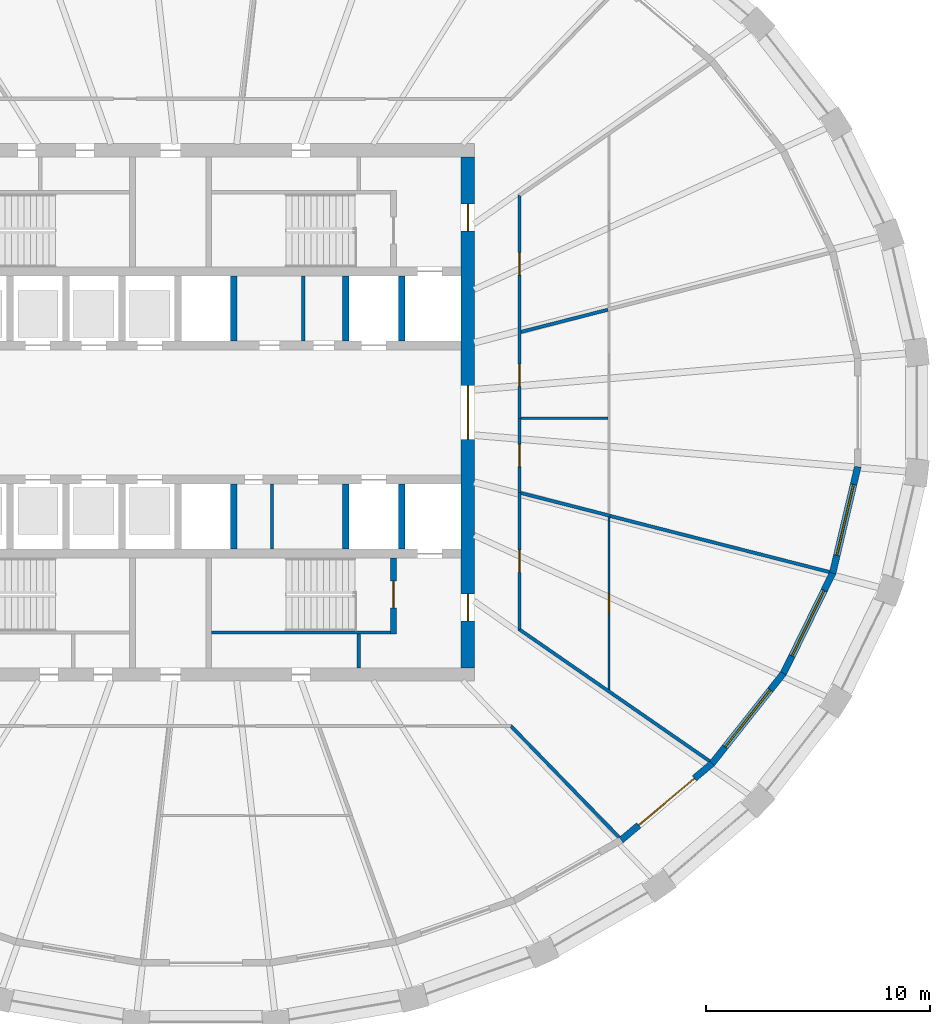
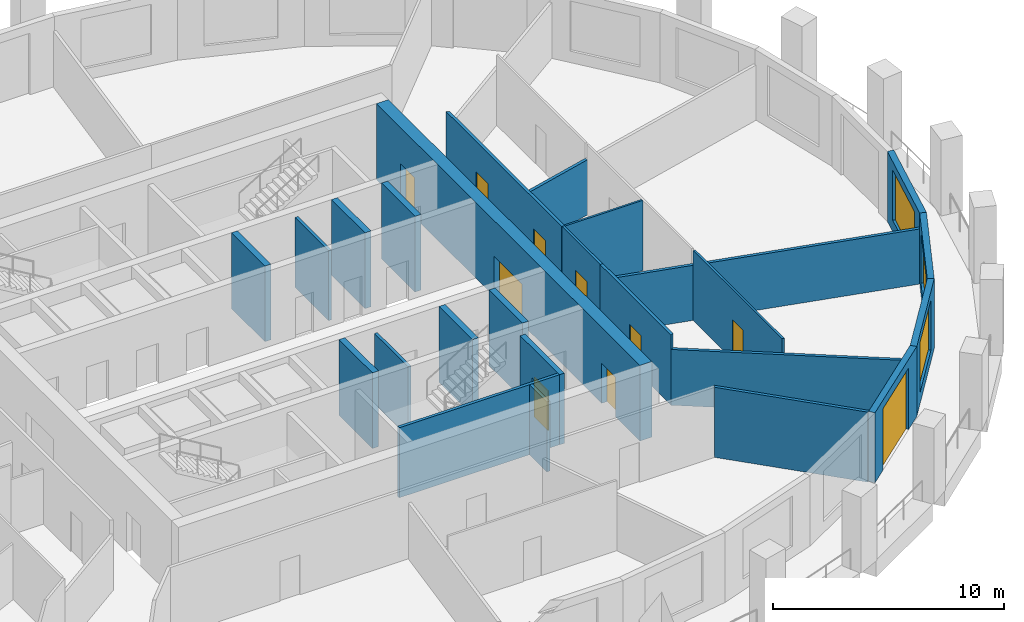
# One storey, part 5 of 11: 26 walls, 10 doors, 3 windows, 13 openings.
"""IFC4 building model written with IfcOpenShell, lengths in metres."""

from ifc_helpers import new_model, si_unit, direction, frame, frame_2d, origin, place, context, subcontext, project, spatial, polyline, rectangle, outline, extrude, material, layer, layer_set, type_object, element, fill, save


model = new_model("IFC4")

# Units and contexts
model_context = context("Model", 3, precision=1e-05, world=origin(), true_north=direction((0.0, 1.0)))
body_context = subcontext(model_context, "Body", "Model", "MODEL_VIEW")
ifc_project = project(units=[si_unit("LENGTHUNIT", "METRE"), si_unit("AREAUNIT", "SQUARE_METRE"), si_unit("VOLUMEUNIT", "CUBIC_METRE"), si_unit("PLANEANGLEUNIT", "RADIAN"), si_unit("MASSUNIT", "GRAM", prefix="KILO")], contexts=[model_context])

# Site, building, storey
site_placement = place(None, origin())
site = spatial("IfcSite", under=ifc_project, at=site_placement, CompositionType="ELEMENT")
building_placement = place(site_placement, origin())
building = spatial("IfcBuilding", under=site, at=building_placement, Name="Halqa Exchange Tower", CompositionType="ELEMENT")
storey_placement = place(building_placement, frame((0.0, 0.0, 214.89990234375)))
storey = spatial("IfcBuildingStorey", under=building, at=storey_placement, Name="L49", CompositionType="ELEMENT", Elevation=214.89990234375)

# Wall
ifc_material_1 = material(Name="Fire-rated gypsum board")
ifc_layer_1 = layer(ifc_material_1, 0.14990234375)
ifc_layer_set_1 = layer_set([ifc_layer_1], Name="Fire-rated gypsum board")
wall_type_1 = type_object("IfcWallType", Name="Fire partition EI 60 150", PredefinedType="PARTITIONING", material=ifc_layer_set_1)
wall_1_placement = place(storey_placement, frame((13.9677734375, -9.66748046875, 0.0), z_axis=(0.0, 0.0, 1.0), x_axis=(0.822219313141, -0.56917080134, 0.0)))
element("IfcWall", 1, at=wall_1_placement, inside=storey, type_object=wall_type_1, Name="L49-PWL-026", PredefinedType="PARTITIONING", context=body_context, shape_type="SweptSolid", body=[
    extrude(outline(polyline([(0.000244140625, -0.074951171875), (1.724365234375, -0.074951171875), (3.448486328125, -0.074951171875), (5.172607421875, -0.074951171875), (6.896728515625, -0.074951171875), (8.620849609375, -0.074951171875), (10.344970703125, -0.074951171875), (10.365234375, 0.000244140625), (10.36962890625, 0.066162109375), (10.36962890625, 0.074951171875), (8.511474609375, 0.074951171875), (6.653076171875, 0.074951171875), (4.794921875, 0.074951171875), (4.79248046875, 0.0732421875), (4.791259765625, 0.074951171875), (3.220458984375, 0.074951171875), (1.649658203125, 0.074951171875), (0.07861328125, 0.074951171875), (0.039306640625, -0.000244140625), (0.000244140625, -0.074951171875)])), origin(), (0.0, 0.0, 1.0), 2.947021484375),
])

# Wall, opening, door
wall_2_placement = place(storey_placement, frame((14.0, -3.580078125, 0.0), z_axis=(0.0, 0.0, 1.0), x_axis=(0.0, -1.0, 0.0)))
wall_2 = element("IfcWall", 2, at=wall_2_placement, inside=storey, type_object=wall_type_1, Name="L49-PWL-027", PredefinedType="PARTITIONING", context=body_context, shape_type="SweptSolid", body=[
    extrude(outline(polyline([(6.149169921875, -0.074951171875), (6.149169921875, -0.074951171875), (6.070556640625, 0.074951171875), (4.552978515625, 0.074951171875), (3.035400390625, 0.074951171875), (1.517578125, 0.074951171875), (0.0, 0.074951171875), (0.0, -0.074951171875), (1.537353515625, -0.074951171875), (3.07470703125, -0.074951171875), (4.61181640625, -0.074951171875), (6.149169921875, -0.074951171875)])), origin(), (0.0, 0.0, 1.0), 3.7001953125),
])
opening_1_placement = place(wall_2_placement, frame((2.554931640625, 0.0, 0.0)))
opening_1 = element("IfcOpeningElement", 3, at=opening_1_placement, cuts=wall_2, Name="Opening 15-11", PredefinedType="OPENING", context=body_context, shape_type="SweptSolid", body=[
    extrude(rectangle(XDim=1.0, YDim=2.10009765625, at=frame_2d((0.5, 1.050048828125))), frame((0.0, 0.0869140625, 0.0), z_axis=(0.0, -1.0, 0.0), x_axis=(1.0, 0.0, 0.0)), (0.0, 0.0, 1.0), 0.173828125),
])
ifc_material_2 = material(Name="Steel fire door leaf", Category="steel")
door_type_1 = type_object("IfcDoorType", Name="Fire door FD30S 1000 x 2100", OperationType="SINGLE_SWING_LEFT", PredefinedType="DOOR", material=ifc_material_2)
door_1_placement = place(opening_1_placement, origin())
door_1 = element("IfcDoor", 4, at=door_1_placement, inside=storey, type_object=door_type_1, Name="L49-IDR-011", OperationType="SINGLE_SWING_LEFT", OverallHeight=2.10009765625, OverallWidth=1.0, PredefinedType="DOOR", context=body_context, shape_type="SweptSolid", body=[
    extrude(rectangle(XDim=1.0, YDim=2.10009765625, at=frame_2d((0.5, 1.050048828125))), frame((0.0, 0.02490234375, 0.0), z_axis=(0.0, -1.0, 0.0), x_axis=(1.0, 0.0, 0.0)), (0.0, 0.0, 1.0), 0.050048828125),
])
fill(opening_1, door_1)

# Wall
wall_3_placement = place(storey_placement, frame((14.041748046875, -3.590576171875, 0.0), z_axis=(0.0, 0.0, 1.0), x_axis=(0.968991510142, -0.247094017071, 0.0)))
element("IfcWall", 5, at=wall_3_placement, inside=storey, type_object=wall_type_1, Name="L49-PWL-028", PredefinedType="PARTITIONING", context=body_context, shape_type="SweptSolid", body=[
    extrude(outline(polyline([(4.131103515625, 0.074951171875), (4.014892578125, 0.074951171875), (4.01416015625, 0.07470703125), (4.01416015625, 0.074951171875), (2.676025390625, 0.074951171875), (1.338134765625, 0.074951171875), (0.0, 0.074951171875), (0.0, 0.073974609375), (0.01513671875, 0.0146484375), (0.029541015625, 0.0185546875), (0.053466796875, -0.074951171875), (1.41259765625, -0.074951171875), (2.77197265625, -0.074951171875), (4.131103515625, -0.074951171875), (4.131103515625, 0.074951171875)])), origin(), (0.0, 0.0, 1.0), 2.91015625),
])

# Wall, openings, doors
wall_4_placement = place(storey_placement, frame((14.0, -0.260009765625, 0.0), z_axis=(0.0, 0.0, 1.0), x_axis=(0.0, 1.0, 0.0)))
wall_4 = element("IfcWall", 6, at=wall_4_placement, inside=storey, type_object=wall_type_1, Name="L49-PWL-030", PredefinedType="PARTITIONING", context=body_context, shape_type="SweptSolid", body=[
    extrude(outline(polyline([(0.0, -0.074951171875), (1.982177734375, -0.074951171875), (3.96435546875, -0.074951171875), (5.946533203125, -0.074951171875), (7.9287109375, -0.074951171875), (9.91064453125, -0.074951171875), (9.9892578125, 0.074951171875), (9.9892578125, 0.074951171875), (7.991455078125, 0.074951171875), (5.99365234375, 0.074951171875), (3.99560546875, 0.074951171875), (1.997802734375, 0.074951171875), (0.0, 0.074951171875), (0.0, -0.074951171875)])), origin(), (0.0, 0.0, 1.0), 3.7001953125),
])
opening_2_placement = place(wall_4_placement, frame((1.419921875, 0.0, 0.0)))
opening_2 = element("IfcOpeningElement", 7, at=opening_2_placement, cuts=wall_4, Name="Opening 15-13", PredefinedType="OPENING", context=body_context, shape_type="SweptSolid", body=[
    extrude(rectangle(XDim=1.0, YDim=2.10009765625, at=frame_2d((0.5, 1.050048828125))), frame((0.0, 0.0869140625, 0.0), z_axis=(0.0, -1.0, 0.0), x_axis=(1.0, 0.0, 0.0)), (0.0, 0.0, 1.0), 0.173828125),
])
opening_3_placement = place(wall_4_placement, frame((6.39501953125, 0.0, 0.0)))
opening_3 = element("IfcOpeningElement", 8, at=opening_3_placement, cuts=wall_4, Name="Opening 15-14", PredefinedType="OPENING", context=body_context, shape_type="SweptSolid", body=[
    extrude(rectangle(XDim=1.0, YDim=2.10009765625, at=frame_2d((0.5, 1.050048828125))), frame((0.0, 0.0869140625, 0.0), z_axis=(0.0, -1.0, 0.0), x_axis=(1.0, 0.0, 0.0)), (0.0, 0.0, 1.0), 0.173828125),
])
door_2_placement = place(opening_2_placement, frame((1.0, 0.0, 0.0), z_axis=(0.0, 0.0, 1.0), x_axis=(-1.0, 0.0, 0.0)))
door_2 = element("IfcDoor", 9, at=door_2_placement, inside=storey, type_object=door_type_1, Name="L49-IDR-013", OperationType="SINGLE_SWING_RIGHT", OverallHeight=2.10009765625, OverallWidth=1.0, PredefinedType="DOOR", context=body_context, shape_type="SweptSolid", body=[
    extrude(rectangle(XDim=1.0, YDim=2.10009765625, at=frame_2d((0.5, 1.050048828125))), frame((0.0, 0.02490234375, 0.0), z_axis=(0.0, -1.0, 0.0), x_axis=(1.0, 0.0, 0.0)), (0.0, 0.0, 1.0), 0.050048828125),
])
fill(opening_2, door_2)
door_3_placement = place(opening_3_placement, frame((1.0, 0.0, 0.0), z_axis=(0.0, 0.0, 1.0), x_axis=(-1.0, 0.0, 0.0)))
door_3 = element("IfcDoor", 10, at=door_3_placement, inside=storey, type_object=door_type_1, Name="L49-IDR-014", OperationType="SINGLE_SWING_LEFT", OverallHeight=2.10009765625, OverallWidth=1.0, PredefinedType="DOOR", context=body_context, shape_type="SweptSolid", body=[
    extrude(rectangle(XDim=1.0, YDim=2.10009765625, at=frame_2d((0.5, 1.050048828125))), frame((0.0, 0.02490234375, 0.0), z_axis=(0.0, -1.0, 0.0), x_axis=(1.0, 0.0, 0.0)), (0.0, 0.0, 1.0), 0.050048828125),
])
fill(opening_3, door_3)

# Walls
wall_5_placement = place(storey_placement, frame((14.056640625, 3.594482421875, 0.0), z_axis=(0.0, 0.0, 1.0), x_axis=(0.968992302027, 0.247090911634, 0.0)))
element("IfcWall", 11, at=wall_5_placement, inside=storey, type_object=wall_type_1, Name="L49-PWL-032", PredefinedType="PARTITIONING", context=body_context, shape_type="SweptSolid", body=[
    extrude(outline(polyline([(0.0, -0.074951171875), (1.99951171875, -0.074951171875), (3.998779296875, -0.074951171875), (3.999267578125, -0.073486328125), (4.005126953125, -0.074951171875), (4.0205078125, -0.074951171875), (4.0205078125, 0.074951171875), (2.029296875, 0.074951171875), (0.0380859375, 0.074951171875), (0.0, -0.07421875), (0.0, -0.074951171875)])), origin(), (0.0, 0.0, 1.0), 2.91015625),
])
wall_6_placement = place(storey_placement, frame((18.0419921875, -4.620849609375, 0.0), z_axis=(0.0, 0.0, 1.0), x_axis=(0.968898746972, -0.247457507698, 0.0)))
element("IfcWall", 12, at=wall_6_placement, inside=storey, type_object=wall_type_1, Name="L49-PWL-035", PredefinedType="PARTITIONING", context=body_context, shape_type="SweptSolid", body=[
    extrude(outline(polyline([(0.02734375, -0.074951171875), (1.705810546875, -0.074951171875), (3.384521484375, -0.074951171875), (5.06298828125, -0.074951171875), (6.741455078125, -0.074951171875), (8.419921875, -0.074951171875), (10.098388671875, -0.074951171875), (10.112548828125, -0.0078125), (10.112548828125, 0.074951171875), (8.42724609375, 0.074951171875), (6.74169921875, 0.074951171875), (5.056396484375, 0.074951171875), (3.370849609375, 0.074951171875), (1.685546875, 0.074951171875), (0.000244140625, 0.074951171875), (0.000244140625, -0.04541015625), (0.018798828125, -0.040771484375), (0.02734375, -0.074951171875)])), origin(), (0.0, 0.0, 1.0), 2.91015625),
])
wall_7_placement = place(storey_placement, frame((18.459228515625, -18.973388671875, 0.0), z_axis=(0.0, 0.0, 1.0), x_axis=(-0.697374409368, 0.716707006494, 0.0)))
element("IfcWall", 13, at=wall_7_placement, inside=storey, type_object=wall_type_1, Name="L49-PWL-039", PredefinedType="PARTITIONING", context=body_context, shape_type="SweptSolid", body=[
    extrude(outline(polyline([(0.0, -0.074951171875), (1.74267578125, -0.074951171875), (3.4853515625, -0.074951171875), (5.22802734375, -0.074951171875), (6.970947265625, -0.074951171875), (6.939208984375, 0.0), (6.907470703125, 0.074951171875), (5.18701171875, 0.074951171875), (3.46630859375, 0.074951171875), (1.745849609375, 0.074951171875), (0.025146484375, 0.074951171875), (0.0048828125, -0.002197265625), (0.0, -0.0693359375), (0.0, -0.074951171875)])), origin(), (0.0, 0.0, 1.0), 3.7001953125),
])

# Wall, opening, door
ifc_material_3 = material(Name="Fire-rated glazing", Category="glass")
ifc_layer_2 = layer(ifc_material_3, 0.1201171875)
ifc_layer_set_2 = layer_set([ifc_layer_2], Name="Fire-rated glazing")
wall_type_2 = type_object("IfcWallType", Name="Glazed fire partition EI 60 120", PredefinedType="PARTITIONING", material=ifc_layer_set_2)
wall_8_placement = place(storey_placement, frame((14.0, -0.260009765625, 0.0), z_axis=(0.0, 0.0, 1.0), x_axis=(0.0, -1.0, 0.0)))
wall_8 = element("IfcWall", 14, at=wall_8_placement, inside=storey, type_object=wall_type_2, Name="L49-PWL-029", PredefinedType="PARTITIONING", context=body_context, shape_type="SweptSolid", body=[
    extrude(rectangle(XDim=3.320068359375, YDim=0.1201171875, at=frame_2d((1.66015625, 0.0))), origin(), (0.0, 0.0, 1.0), 3.7001953125),
])
opening_4_placement = place(wall_8_placement, frame((1.159912109375, 0.0, 0.0)))
opening_4 = element("IfcOpeningElement", 15, at=opening_4_placement, cuts=wall_8, Name="Opening 15-12", PredefinedType="OPENING", context=body_context, shape_type="SweptSolid", body=[
    extrude(rectangle(XDim=1.0, YDim=2.10009765625, at=frame_2d((0.5, 1.050048828125))), frame((0.0, 0.072021484375, 0.0), z_axis=(0.0, -1.0, 0.0), x_axis=(1.0, 0.0, 0.0)), (0.0, 0.0, 1.0), 0.14404296875),
])
door_4_placement = place(opening_4_placement, origin())
door_4 = element("IfcDoor", 16, at=door_4_placement, inside=storey, type_object=door_type_1, Name="L49-IDR-012", OperationType="SINGLE_SWING_LEFT", OverallHeight=2.10009765625, OverallWidth=1.0, PredefinedType="DOOR", context=body_context, shape_type="SweptSolid", body=[
    extrude(rectangle(XDim=1.0, YDim=2.10009765625, at=frame_2d((0.5, 1.050048828125))), frame((0.0, 0.02490234375, 0.0), z_axis=(0.0, -1.0, 0.0), x_axis=(1.0, 0.0, 0.0)), (0.0, 0.0, 1.0), 0.050048828125),
])
fill(opening_4, door_4)

# Wall
ifc_material_4 = material(Name="Gypsum board")
ifc_layer_3 = layer(ifc_material_4, 0.10009765625)
ifc_layer_set_3 = layer_set([ifc_layer_3], Name="Gypsum board")
wall_type_3 = type_object("IfcWallType", Name="Partition 100 gypsum", PredefinedType="PARTITIONING", material=ifc_layer_set_3)
wall_9_placement = place(storey_placement, frame((14.060546875, -0.260009765625, 0.0), z_axis=(0.0, 0.0, 1.0), x_axis=(1.0, 0.0, 0.0)))
element("IfcWall", 17, at=wall_9_placement, inside=storey, type_object=wall_type_3, Name="L49-PWL-031", PredefinedType="PARTITIONING", context=body_context, shape_type="SweptSolid", body=[
    extrude(outline(polyline([(3.889404296875, 0.050048828125), (1.951904296875, 0.050048828125), (0.014404296875, 0.050048828125), (0.014404296875, 0.0), (0.0, 0.0), (0.0, -0.050048828125), (1.94482421875, -0.050048828125), (3.889404296875, -0.050048828125), (3.889404296875, 0.050048828125)])), origin(), (0.0, 0.0, 1.0), 3.7001953125),
])

# Wall, opening, door
wall_10_placement = place(storey_placement, frame((18.0, -4.6650390625, 0.0), z_axis=(0.0, 0.0, 1.0), x_axis=(0.0, -1.0, 0.0)))
wall_10 = element("IfcWall", 18, at=wall_10_placement, inside=storey, type_object=wall_type_3, Name="L49-PWL-034", PredefinedType="PARTITIONING", context=body_context, shape_type="SweptSolid", body=[
    extrude(outline(polyline([(0.0, -0.050048828125), (1.9169921875, -0.050048828125), (3.833984375, -0.050048828125), (5.7509765625, -0.050048828125), (7.66796875, -0.050048828125), (7.737060546875, 0.0498046875), (7.737060546875, 0.050048828125), (5.8115234375, 0.050048828125), (3.88623046875, 0.050048828125), (1.960693359375, 0.050048828125), (0.03515625, 0.050048828125), (0.02880859375, 0.02490234375), (0.0, 0.032470703125), (0.0, 0.03076171875), (0.01904296875, 0.02587890625), (0.0, -0.04833984375), (0.0, -0.050048828125)])), origin(), (0.0, 0.0, 1.0), 3.7001953125),
])
opening_5_placement = place(wall_10_placement, frame((3.419921875, 0.0, 0.0)))
opening_5 = element("IfcOpeningElement", 19, at=opening_5_placement, cuts=wall_10, Name="Opening 15-20", PredefinedType="OPENING", context=body_context, shape_type="SweptSolid", body=[
    extrude(rectangle(XDim=0.89990234375, YDim=2.10009765625, at=frame_2d((0.449951171875, 1.050048828125))), frame((0.0, 0.06201171875, 0.0), z_axis=(0.0, -1.0, 0.0), x_axis=(1.0, 0.0, 0.0)), (0.0, 0.0, 1.0), 0.1240234375),
])
ifc_material_5 = material(Name="Timber door leaf", Category="wood")
door_type_2 = type_object("IfcDoorType", Name="Door 900 x 2100", OperationType="SINGLE_SWING_LEFT", PredefinedType="DOOR", material=ifc_material_5)
door_5_placement = place(opening_5_placement, frame((0.89990234375, 0.0, 0.0), z_axis=(0.0, 0.0, 1.0), x_axis=(-1.0, 0.0, 0.0)))
door_5 = element("IfcDoor", 20, at=door_5_placement, inside=storey, type_object=door_type_2, Name="L49-IDR-020", OperationType="SINGLE_SWING_LEFT", OverallHeight=2.10009765625, OverallWidth=0.89990234375, PredefinedType="DOOR", context=body_context, shape_type="SweptSolid", body=[
    extrude(rectangle(XDim=0.89990234375, YDim=2.10009765625, at=frame_2d((0.449951171875, 1.050048828125))), frame((0.0, 0.02490234375, 0.0), z_axis=(0.0, -1.0, 0.0), x_axis=(1.0, 0.0, 0.0)), (0.0, 0.0, 1.0), 0.050048828125),
])
fill(opening_5, door_5)

# Walls
ifc_layer_4 = layer(ifc_material_4, 0.14990234375)
ifc_layer_set_4 = layer_set([ifc_layer_4], Name="Gypsum board")
wall_type_4 = type_object("IfcWallType", Name="Penthouse riser wall 150 gypsum", PredefinedType="PARTITIONING", material=ifc_layer_set_4)
wall_11_placement = place(storey_placement, frame((6.824951171875, -11.39990234375, 0.0), z_axis=(0.0, 0.0, 1.0), x_axis=(0.0, 1.0, 0.0)))
element("IfcWall", 21, at=wall_11_placement, inside=storey, type_object=wall_type_4, Name="Firefighting lobby west wall S", PredefinedType="PARTITIONING", context=body_context, shape_type="SweptSolid", body=[
    extrude(rectangle(XDim=1.5, YDim=0.14990234375, at=frame_2d((0.75, 0.0))), origin(), (0.0, 0.0, 1.0), 3.7001953125),
])
for number, where, z_axis, x_axis, name in (
    (22, (4.35009765625, 3.199951171875, 0.0), (0.0, 0.0, 1.0), (0.0, 1.0, 0.0), "Freed bay partition NE4.350"),
    (23, (2.949951171875, -6.10009765625, 0.0), (0.0, 0.0, 1.0), (0.0, 1.0, 0.0), "Freed bay partition SE2.950"),
):
    element("IfcWall", number, at=place(storey_placement, frame(where, z_axis=z_axis, x_axis=x_axis)), inside=storey, type_object=wall_type_4, Name=name, PredefinedType="PARTITIONING", context=body_context, shape_type="SweptSolid", body=[
        extrude(rectangle(XDim=2.900146484375, YDim=0.14990234375, at=frame_2d((1.4501953125, 0.0))), origin(), (0.0, 0.0, 1.0), 3.7001953125),
    ])
ifc_material_6 = material(Name="Concrete C60/75", Category="concrete")
ifc_layer_5 = layer(ifc_material_6, 0.300048828125)
ifc_layer_set_5 = layer_set([ifc_layer_5], Name="Concrete C60/75")
wall_type_5 = type_object("IfcWallType", Name="RC core wall 300", PredefinedType="SHEAR", material=ifc_layer_set_5)
for number, where, z_axis, x_axis, name in (
    (24, (1.25, 3.199951171875, 0.0), (0.0, 0.0, 1.0), (0.0, 1.0, 0.0), "Shaft divider N5"),
    (25, (6.25, 3.199951171875, 0.0), (0.0, 0.0, 1.0), (0.0, 1.0, 0.0), "Shaft divider N7"),
    (26, (8.75, 3.199951171875, 0.0), (0.0, 0.0, 1.0), (0.0, 1.0, 0.0), "Shaft divider N8"),
    (27, (1.25, -6.10009765625, 0.0), (0.0, 0.0, 1.0), (0.0, 1.0, 0.0), "Shaft divider S5"),
    (28, (6.25, -6.10009765625, 0.0), (0.0, 0.0, 1.0), (0.0, 1.0, 0.0), "Shaft divider S7"),
    (29, (8.75, -6.10009765625, 0.0), (0.0, 0.0, 1.0), (0.0, 1.0, 0.0), "Shaft divider S8"),
):
    element("IfcWall", number, at=place(storey_placement, frame(where, z_axis=z_axis, x_axis=x_axis)), inside=storey, type_object=wall_type_5, Name=name, PredefinedType="SHEAR", context=body_context, shape_type="SweptSolid", body=[
        extrude(rectangle(XDim=2.900146484375, YDim=0.300048828125, at=frame_2d((1.4501953125, 0.0))), origin(), (0.0, 0.0, 1.0), 4.0),
    ])

# Wall, openings, doors
ifc_material_7 = material(Name="Concrete C70/85", Category="concrete")
ifc_layer_6 = layer(ifc_material_7, 0.60009765625)
ifc_layer_set_6 = layer_set([ifc_layer_6], Name="Concrete C70/85")
wall_type_6 = type_object("IfcWallType", Name="RC core wall 600 C70/85", PredefinedType="SHEAR", material=ifc_layer_set_6)
wall_12_placement = place(storey_placement, frame((11.699951171875, -11.39990234375, 0.0), z_axis=(0.0, 0.0, 1.0), x_axis=(0.0, 1.0, 0.0)))
wall_12 = element("IfcWall", 30, at=wall_12_placement, inside=storey, type_object=wall_type_6, Name="Core wall east", PredefinedType="SHEAR", context=body_context, shape_type="SweptSolid", body=[
    extrude(rectangle(XDim=22.7998046875, YDim=0.60009765625, at=frame_2d((11.39990234375, 0.0))), origin(), (0.0, 0.0, 1.0), 4.0),
])
opening_6_placement = place(wall_12_placement, frame((10.199951171875, 0.0, 0.0)))
opening_6 = element("IfcOpeningElement", 31, at=opening_6_placement, cuts=wall_12, Name="Opening T15-C14", PredefinedType="OPENING", context=body_context, shape_type="SweptSolid", body=[
    extrude(rectangle(XDim=2.39990234375, YDim=2.10009765625, at=frame_2d((1.199951171875, 1.050048828125))), frame((0.0, 0.31201171875, 0.0), z_axis=(0.0, -1.0, 0.0), x_axis=(1.0, 0.0, 0.0)), (0.0, 0.0, 1.0), 0.6240234375),
])
opening_7_placement = place(wall_12_placement, frame((19.5, 0.0, 0.0)))
opening_7 = element("IfcOpeningElement", 32, at=opening_7_placement, cuts=wall_12, Name="Opening T15-C19", PredefinedType="OPENING", context=body_context, shape_type="SweptSolid", body=[
    extrude(rectangle(XDim=1.199951171875, YDim=2.10009765625, at=frame_2d((0.60009765625, 1.050048828125))), frame((0.0, 0.31201171875, 0.0), z_axis=(0.0, -1.0, 0.0), x_axis=(1.0, 0.0, 0.0)), (0.0, 0.0, 1.0), 0.6240234375),
])
opening_8_placement = place(wall_12_placement, frame((2.10009765625, 0.0, 0.0)))
opening_8 = element("IfcOpeningElement", 33, at=opening_8_placement, cuts=wall_12, Name="Opening T15-C20", PredefinedType="OPENING", context=body_context, shape_type="SweptSolid", body=[
    extrude(rectangle(XDim=1.199951171875, YDim=2.10009765625, at=frame_2d((0.60009765625, 1.050048828125))), frame((0.0, 0.31201171875, 0.0), z_axis=(0.0, -1.0, 0.0), x_axis=(1.0, 0.0, 0.0)), (0.0, 0.0, 1.0), 0.6240234375),
])
door_type_3 = type_object("IfcDoorType", Name="Firefighting lobby door FD90 1200 x 2100", OperationType="SINGLE_SWING_RIGHT", PredefinedType="DOOR", material=ifc_material_2)
door_6_placement = place(opening_7_placement, origin())
door_6 = element("IfcDoor", 34, at=door_6_placement, inside=storey, type_object=door_type_3, Name="Firefighting lobby door", OperationType="SINGLE_SWING_RIGHT", OverallHeight=2.10009765625, OverallWidth=1.199951171875, PredefinedType="DOOR", context=body_context, shape_type="SweptSolid", body=[
    extrude(rectangle(XDim=1.199951171875, YDim=2.10009765625, at=frame_2d((0.60009765625, 1.050048828125))), frame((0.0, 0.02490234375, 0.0), z_axis=(0.0, -1.0, 0.0), x_axis=(1.0, 0.0, 0.0)), (0.0, 0.0, 1.0), 0.050048828125),
])
fill(opening_7, door_6)
door_7_placement = place(opening_8_placement, origin())
door_7 = element("IfcDoor", 35, at=door_7_placement, inside=storey, type_object=door_type_3, Name="Firefighting lobby door", OperationType="SINGLE_SWING_LEFT", OverallHeight=2.10009765625, OverallWidth=1.199951171875, PredefinedType="DOOR", context=body_context, shape_type="SweptSolid", body=[
    extrude(rectangle(XDim=1.199951171875, YDim=2.10009765625, at=frame_2d((0.60009765625, 1.050048828125))), frame((0.0, 0.02490234375, 0.0), z_axis=(0.0, -1.0, 0.0), x_axis=(1.0, 0.0, 0.0)), (0.0, 0.0, 1.0), 0.050048828125),
])
fill(opening_8, door_7)
door_type_4 = type_object("IfcDoorType", Name="Lobby double door FD60 2400 x 2100", OperationType="DOUBLE_DOOR_SINGLE_SWING", PredefinedType="DOOR", material=ifc_material_2)
door_8_placement = place(opening_6_placement, origin())
door_8 = element("IfcDoor", 36, at=door_8_placement, inside=storey, type_object=door_type_4, Name="Lift lobby double door", OperationType="DOUBLE_DOOR_SINGLE_SWING", OverallHeight=2.10009765625, OverallWidth=2.39990234375, PredefinedType="DOOR", context=body_context, shape_type="SweptSolid", body=[
    extrude(rectangle(XDim=2.39990234375, YDim=2.10009765625, at=frame_2d((1.199951171875, 1.050048828125))), frame((0.0, 0.02490234375, 0.0), z_axis=(0.0, -1.0, 0.0), x_axis=(1.0, 0.0, 0.0)), (0.0, 0.0, 1.0), 0.050048828125),
])
fill(opening_6, door_8)

# Wall
ifc_material_8 = material(Name="Concrete C30/37", Category="concrete")
ifc_layer_7 = layer(ifc_material_8, 0.14990234375)
ifc_layer_set_7 = layer_set([ifc_layer_7], Name="Concrete C30/37")
wall_type_7 = type_object("IfcWallType", Name="RC stair wall 150 C30/37", PredefinedType="SHEAR", material=ifc_layer_set_7)
wall_13_placement = place(storey_placement, frame((0.25, -9.824951171875, 0.0), z_axis=(0.0, 0.0, 1.0), x_axis=(1.0, 0.0, 0.0)))
element("IfcWall", 37, at=wall_13_placement, inside=storey, type_object=wall_type_7, Name="Stair ST2 north wall S", PredefinedType="SHEAR", context=body_context, shape_type="SweptSolid", body=[
    extrude(rectangle(XDim=8.0, YDim=0.14990234375, at=frame_2d((4.0, 0.0))), origin(), (0.0, 0.0, 1.0), 3.7001953125),
])

# Wall, opening, door
ifc_layer_8 = layer(ifc_material_8, 0.25)
ifc_layer_set_8 = layer_set([ifc_layer_8], Name="Concrete C30/37")
wall_type_8 = type_object("IfcWallType", Name="RC stair wall 250 C30/37", PredefinedType="SHEAR", material=ifc_layer_set_8)
wall_14_placement = place(storey_placement, frame((8.375, -9.89990234375, 0.0), z_axis=(0.0, 0.0, 1.0), x_axis=(0.0, 1.0, 0.0)))
wall_14 = element("IfcWall", 38, at=wall_14_placement, inside=storey, type_object=wall_type_8, Name="Stair ST2 east wall S", PredefinedType="SHEAR", context=body_context, shape_type="SweptSolid", body=[
    extrude(rectangle(XDim=3.39990234375, YDim=0.25, at=frame_2d((1.699951171875, 0.0))), origin(), (0.0, 0.0, 1.0), 3.7001953125),
])
opening_9_placement = place(wall_14_placement, frame((1.175048828125, 0.0, 0.0)))
opening_9 = element("IfcOpeningElement", 39, at=opening_9_placement, cuts=wall_14, Name="Opening T15-C18", PredefinedType="OPENING", context=body_context, shape_type="SweptSolid", body=[
    extrude(rectangle(XDim=1.199951171875, YDim=2.10009765625, at=frame_2d((0.60009765625, 1.050048828125))), frame((0.0, 0.136962890625, 0.0), z_axis=(0.0, -1.0, 0.0), x_axis=(1.0, 0.0, 0.0)), (0.0, 0.0, 1.0), 0.27392578125),
])
door_type_5 = type_object("IfcDoorType", Name="Stair door FD90 1200 x 2100", OperationType="SINGLE_SWING_LEFT", PredefinedType="DOOR", material=ifc_material_2)
door_9_placement = place(opening_9_placement, origin())
door_9 = element("IfcDoor", 40, at=door_9_placement, inside=storey, type_object=door_type_5, Name="Stair door ST4", OperationType="SINGLE_SWING_RIGHT", OverallHeight=2.10009765625, OverallWidth=1.199951171875, PredefinedType="DOOR", context=body_context, shape_type="SweptSolid", body=[
    extrude(rectangle(XDim=1.199951171875, YDim=2.10009765625, at=frame_2d((0.60009765625, 1.050048828125))), frame((0.0, 0.02490234375, 0.0), z_axis=(0.0, -1.0, 0.0), x_axis=(1.0, 0.0, 0.0)), (0.0, 0.0, 1.0), 0.050048828125),
])
fill(opening_9, door_9)

ifc_material_9 = material(Name="Limestone cladding", Category="masonry")
ifc_layer_9 = layer(ifc_material_9, 0.0400390625)
ifc_material_10 = material(Name="Ventilated cavity")
ifc_layer_10 = layer(ifc_material_10, 0.030029296875, ventilated=True)
ifc_material_11 = material(Name="Mineral wool insulation")
ifc_layer_11 = layer(ifc_material_11, 0.10009765625)
ifc_layer_12 = layer(ifc_material_8, 0.10009765625)
ifc_material_12 = material(Name="Internal plaster")
ifc_layer_13 = layer(ifc_material_12, 0.030029296875)
ifc_layer_set_9 = layer_set([ifc_layer_9, ifc_layer_10, ifc_layer_11, ifc_layer_12, ifc_layer_13], Name="Stone-faced insulated wall 300")
wall_type_9 = type_object("IfcWallType", Name="Stone-faced insulated wall 300", PredefinedType="STANDARD", material=ifc_layer_set_9)
wall_15_placement = place(storey_placement, frame((18.54345703125, -19.09228515625, 0.0), z_axis=(0.0, 0.0, 1.0), x_axis=(0.764397795062, 0.644744919255, 0.0)))
wall_15 = element("IfcWall", 41, at=wall_15_placement, inside=storey, type_object=wall_type_9, Name="Glass-line wall 28", PredefinedType="STANDARD", context=body_context, shape_type="SweptSolid", body=[
    extrude(outline(polyline([(-0.01416015625, -0.14990234375), (5.3203125, -0.14990234375), (5.2900390625, 0.14990234375), (0.01416015625, 0.14990234375), (-0.01416015625, -0.14990234375)])), origin(), (0.0, 0.0, 1.0), 3.7001953125),
])
opening_10_placement = place(wall_15_placement, frame((1.027587890625, 0.0, 0.0)))
opening_10 = element("IfcOpeningElement", 42, at=opening_10_placement, cuts=wall_15, Name="Opening LG-F3-07", PredefinedType="OPENING", context=body_context, shape_type="SweptSolid", body=[
    extrude(rectangle(XDim=3.25, YDim=3.25, at=frame_2d((1.625, 1.625))), frame((0.0, 0.162109375, 0.0), z_axis=(0.0, -1.0, 0.0), x_axis=(1.0, 0.0, 0.0)), (0.0, 0.0, 1.0), 0.323974609375),
])
ifc_material_13 = material(Name="Clear low-emissivity glass in aluminium frame", Category="aluminium")
door_type_6 = type_object("IfcDoorType", Name="Glazed sliding loggia door 3250 x 3250", OperationType="DOUBLE_DOOR_SLIDING", PredefinedType="DOOR", material=ifc_material_13)
door_10_placement = place(opening_10_placement, origin())
door_10 = element("IfcDoor", 43, at=door_10_placement, inside=storey, type_object=door_type_6, Name="Loggia door 7", OperationType="DOUBLE_DOOR_SLIDING", OverallHeight=3.25, OverallWidth=3.25, PredefinedType="DOOR", context=body_context, shape_type="SweptSolid", body=[
    extrude(rectangle(XDim=3.25, YDim=3.25, at=frame_2d((1.625, 1.625))), frame((0.0, 0.02490234375, 0.0), z_axis=(0.0, -1.0, 0.0), x_axis=(1.0, 0.0, 0.0)), (0.0, 0.0, 1.0), 0.050048828125),
])
fill(opening_10, door_10)

# Wall, opening, window
wall_16_placement = place(storey_placement, frame((22.5986328125, -15.671875, 0.0), z_axis=(0.0, 0.0, 1.0), x_axis=(0.621017151557, 0.783796974651, 0.0)))
wall_16 = element("IfcWall", 44, at=wall_16_placement, inside=storey, type_object=wall_type_9, Name="Glass-line wall 29", PredefinedType="STANDARD", context=body_context, shape_type="SweptSolid", body=[
    extrude(outline(polyline([(-0.01513671875, -0.14990234375), (5.14990234375, -0.14990234375), (5.11767578125, 0.14990234375), (0.01513671875, 0.14990234375), (-0.01513671875, -0.14990234375)])), origin(), (0.0, 0.0, 1.0), 3.7001953125),
])
opening_11_placement = place(wall_16_placement, frame((0.94189453125, 0.0, 0.60009765625)))
opening_11 = element("IfcOpeningElement", 45, at=opening_11_placement, cuts=wall_16, Name="Opening W-F3-29", PredefinedType="OPENING", context=body_context, shape_type="SweptSolid", body=[
    extrude(rectangle(XDim=3.25, YDim=2.64990234375, at=frame_2d((1.625, 1.324951171875))), frame((0.0, 0.162109375, 0.0), z_axis=(0.0, -1.0, 0.0), x_axis=(1.0, 0.0, 0.0)), (0.0, 0.0, 1.0), 0.323974609375),
])
window_type = type_object("IfcWindowType", Name="Fixed clear glazed window 3250 x 2650", PartitioningType="TRIPLE_PANEL_VERTICAL", PredefinedType="WINDOW", material=ifc_material_13)
window_1_placement = place(opening_11_placement, origin())
window_1 = element("IfcWindow", 46, at=window_1_placement, inside=storey, type_object=window_type, Name="Window 3", OverallHeight=2.64990234375, OverallWidth=3.25, PartitioningType="TRIPLE_PANEL_VERTICAL", PredefinedType="WINDOW", context=body_context, shape_type="SweptSolid", body=[
    extrude(rectangle(XDim=3.25, YDim=2.64990234375, at=frame_2d((1.625, 1.324951171875))), frame((0.0, 0.030029296875, 0.0), z_axis=(0.0, -1.0, 0.0), x_axis=(1.0, 0.0, 0.0)), (0.0, 0.0, 1.0), 0.06005859375),
])
fill(opening_11, window_1)

wall_17_placement = place(storey_placement, frame((25.786865234375, -11.64794921875, 0.0), z_axis=(0.0, 0.0, 1.0), x_axis=(0.440795186599, 0.897607711348, 0.0)))
wall_17 = element("IfcWall", 47, at=wall_17_placement, inside=storey, type_object=wall_type_9, Name="Glass-line wall 30", PredefinedType="STANDARD", context=body_context, shape_type="SweptSolid", body=[
    extrude(outline(polyline([(-0.01611328125, -0.14990234375), (5.0009765625, -0.14990234375), (4.96728515625, 0.14990234375), (0.01611328125, 0.14990234375), (-0.01611328125, -0.14990234375)])), origin(), (0.0, 0.0, 1.0), 3.7001953125),
])
opening_12_placement = place(wall_17_placement, frame((0.8671875, 0.0, 0.60009765625)))
opening_12 = element("IfcOpeningElement", 48, at=opening_12_placement, cuts=wall_17, Name="Opening W-F3-30", PredefinedType="OPENING", context=body_context, shape_type="SweptSolid", body=[
    extrude(rectangle(XDim=3.25, YDim=2.64990234375, at=frame_2d((1.625, 1.324951171875))), frame((0.0, 0.162109375, 0.0), z_axis=(0.0, -1.0, 0.0), x_axis=(1.0, 0.0, 0.0)), (0.0, 0.0, 1.0), 0.323974609375),
])
window_2_placement = place(opening_12_placement, origin())
window_2 = element("IfcWindow", 49, at=window_2_placement, inside=storey, type_object=window_type, Name="Window 3", OverallHeight=2.64990234375, OverallWidth=3.25, PartitioningType="TRIPLE_PANEL_VERTICAL", PredefinedType="WINDOW", context=body_context, shape_type="SweptSolid", body=[
    extrude(rectangle(XDim=3.25, YDim=2.64990234375, at=frame_2d((1.625, 1.324951171875))), frame((0.0, 0.030029296875, 0.0), z_axis=(0.0, -1.0, 0.0), x_axis=(1.0, 0.0, 0.0)), (0.0, 0.0, 1.0), 0.06005859375),
])
fill(opening_12, window_2)

wall_18_placement = place(storey_placement, frame((27.98388671875, -7.174072265625, 0.0), z_axis=(0.0, 0.0, 1.0), x_axis=(0.229546618766, 0.97329766763, 0.0)))
wall_18 = element("IfcWall", 50, at=wall_18_placement, inside=storey, type_object=wall_type_9, Name="Glass-line wall 31", PredefinedType="STANDARD", context=body_context, shape_type="SweptSolid", body=[
    extrude(outline(polyline([(-0.016845703125, -0.14990234375), (4.899169921875, -0.14990234375), (4.864501953125, 0.14990234375), (0.016845703125, 0.14990234375), (-0.016845703125, -0.14990234375)])), origin(), (0.0, 0.0, 1.0), 3.7001953125),
])
opening_13_placement = place(wall_18_placement, frame((0.81591796875, 0.0, 0.60009765625)))
opening_13 = element("IfcOpeningElement", 51, at=opening_13_placement, cuts=wall_18, Name="Opening W-F3-31", PredefinedType="OPENING", context=body_context, shape_type="SweptSolid", body=[
    extrude(rectangle(XDim=3.25, YDim=2.64990234375, at=frame_2d((1.625, 1.324951171875))), frame((0.0, 0.162109375, 0.0), z_axis=(0.0, -1.0, 0.0), x_axis=(1.0, 0.0, 0.0)), (0.0, 0.0, 1.0), 0.323974609375),
])
window_3_placement = place(opening_13_placement, origin())
window_3 = element("IfcWindow", 52, at=window_3_placement, inside=storey, type_object=window_type, Name="Window 3", OverallHeight=2.64990234375, OverallWidth=3.25, PartitioningType="TRIPLE_PANEL_VERTICAL", PredefinedType="WINDOW", context=body_context, shape_type="SweptSolid", body=[
    extrude(rectangle(XDim=3.25, YDim=2.64990234375, at=frame_2d((1.625, 1.324951171875))), frame((0.0, 0.030029296875, 0.0), z_axis=(0.0, -1.0, 0.0), x_axis=(1.0, 0.0, 0.0)), (0.0, 0.0, 1.0), 0.06005859375),
])
fill(opening_13, window_3)

save(model, "model.ifc")
